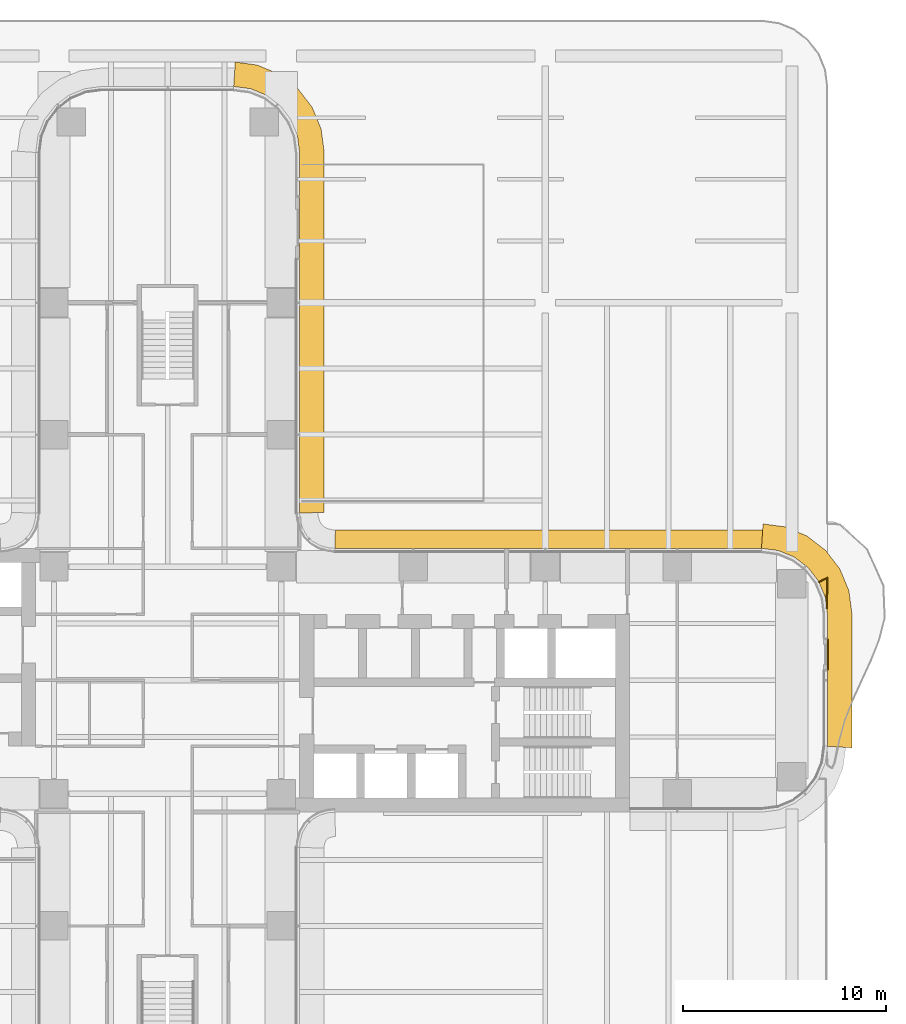
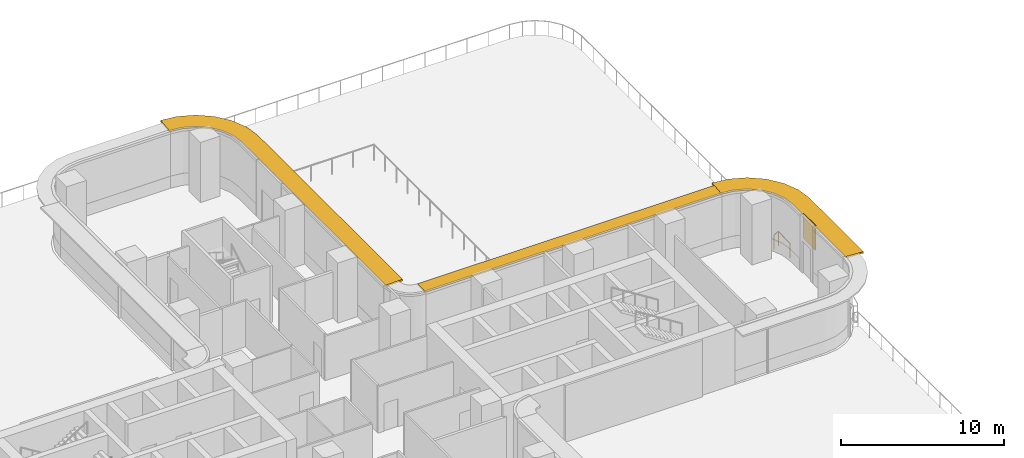
# One storey, part 29 of 29: 3 shading devices, 1 covering, 1 railing.
"""IFC4 building model written with IfcOpenShell, lengths in metres."""

from ifc_helpers import new_model, si_unit, direction, frame, origin, origin_2d, place, context, subcontext, project, spatial, polyline, rectangle, outline, extrude, source, transform, mapped, material, layer, layer_set, type_object, element, save


model = new_model("IFC4")

# Units and contexts
model_context = context("Model", 3, precision=1e-05, world=origin(), true_north=direction((0.0, 1.0)))
body_context = subcontext(model_context, "Body", "Model", "MODEL_VIEW")
ifc_project = project(units=[si_unit("LENGTHUNIT", "METRE"), si_unit("AREAUNIT", "SQUARE_METRE"), si_unit("VOLUMEUNIT", "CUBIC_METRE"), si_unit("PLANEANGLEUNIT", "RADIAN"), si_unit("MASSUNIT", "GRAM", prefix="KILO")], contexts=[model_context])

# Site, building, storey
site_placement = place(None, origin())
site = spatial("IfcSite", under=ifc_project, at=site_placement, CompositionType="ELEMENT")
building_placement = place(site_placement, origin())
building = spatial("IfcBuilding", under=site, at=building_placement, Name="Trellis Farm Tower", CompositionType="ELEMENT")
storey_placement = place(building_placement, frame((0.0, 0.0, 34.0)))
storey = spatial("IfcBuildingStorey", under=building, at=storey_placement, Name="L06", CompositionType="ELEMENT", Elevation=34.0)

# Covering
ifc_material_1 = material(Name="Sandstone", Category="masonry")
ifc_layer_1 = layer(ifc_material_1, 0.050048828125)
ifc_layer_set_1 = layer_set([ifc_layer_1], Name="STONE CLADDING PANEL")
covering_type = type_object("IfcCoveringType", Name="STONE CLADDING PANEL", PredefinedType="CLADDING", material=ifc_layer_set_1)
covering_placement = place(storey_placement, frame((0.0, 0.0, 2.39990234375)))
element("IfcCovering", 1, at=covering_placement, inside=storey, type_object=covering_type, Name="CD1 02", PredefinedType="CLADDING", context=body_context, shape_type="SweptSolid", body=[
    extrude(outline(polyline([(32.550048828125, 0.52001953125), (32.550048828125, 2.02001953125), (32.5, 2.02001953125), (32.5, 0.52001953125), (32.550048828125, 0.52001953125)])), origin(), (0.0, 0.0, 1.0), 1.85009765625),
])

# Shading devices
ifc_material_2 = material(Name="Aluminium extrusion 6063-T6", Category="aluminium")
ifc_layer_2 = layer(ifc_material_2, 0.1201171875)
ifc_layer_set_2 = layer_set([ifc_layer_2], Name="SUNSHADE BLADE 1200")
shading_device_type_1 = type_object("IfcShadingDeviceType", Name="SUNSHADE BLADE 1200", PredefinedType="USERDEFINED", material=ifc_layer_set_2)
shared_shape_1 = source(origin(), body_context, "Body", "SweptSolid", [
    extrude(outline(polyline([(33.699951171875, -3.32861328125), (33.699951171875, 3.32861328125), (33.558349609375, 4.404541015625), (33.11279296875, 5.480224609375), (32.404052734375, 6.404052734375), (31.480224609375, 7.11279296875), (30.404541015625, 7.558349609375), (29.32861328125, 7.699951171875), (29.25, 6.5), (30.091064453125, 6.38916015625), (30.875, 6.064697265625), (31.548095703125, 5.548095703125), (32.064697265625, 4.875), (32.38916015625, 4.091064453125), (32.5, 3.25), (32.5, -3.25), (33.699951171875, -3.32861328125)])), origin(), (0.0, 0.0, 1.0), 0.119873046875),
])
placement = place(storey_placement, frame((0.0, 0.0, 4.090087890625)))
element("IfcShadingDevice", 2, at=placement, inside=storey, type_object=shading_device_type_1, Name="SD2 008", ObjectType="SUNSHADE", PredefinedType="USERDEFINED", context=body_context, shape_type="MappedRepresentation", body=[
    mapped(shared_shape_1, transform((0.0, 0.0, 0.0))),
])
ifc_layer_3 = layer(ifc_material_2, 0.1201171875)
ifc_layer_set_3 = layer_set([ifc_layer_3], Name="SUNSHADE BLADE 900")
shading_device_type_2 = type_object("IfcShadingDeviceType", Name="SUNSHADE BLADE 900", PredefinedType="USERDEFINED", material=ifc_layer_set_3)
shared_shape_2 = source(origin(), body_context, "Body", "SweptSolid", [
    extrude(outline(polyline([(29.30908203125, 7.39990234375), (8.2607421875, 7.39990234375), (8.2314453125, 6.5), (29.25, 6.5), (29.30908203125, 7.39990234375)])), origin(), (0.0, 0.0, 1.0), 0.119873046875),
])
element("IfcShadingDevice", 3, at=placement, inside=storey, type_object=shading_device_type_2, Name="SD1 009", ObjectType="SUNSHADE", PredefinedType="USERDEFINED", context=body_context, shape_type="MappedRepresentation", body=[
    mapped(shared_shape_2, transform((0.0, 0.0, 0.0))),
])
shared_shape_3 = source(origin(), body_context, "Body", "SweptSolid", [
    extrude(outline(polyline([(7.699951171875, 8.270751953125), (7.699951171875, 26.07861328125), (7.558349609375, 27.154541015625), (7.11279296875, 28.230224609375), (6.404052734375, 29.154052734375), (5.480224609375, 29.86279296875), (4.404541015625, 30.308349609375), (3.32861328125, 30.449951171875), (3.25, 29.25), (4.091064453125, 29.13916015625), (4.875, 28.814697265625), (5.548095703125, 28.298095703125), (6.064697265625, 27.625), (6.38916015625, 26.841064453125), (6.5, 26.0), (6.5, 8.2314453125), (7.699951171875, 8.270751953125)])), origin(), (0.0, 0.0, 1.0), 0.119873046875),
])
element("IfcShadingDevice", 4, at=placement, inside=storey, type_object=shading_device_type_1, Name="SD2 011", ObjectType="SUNSHADE", PredefinedType="USERDEFINED", context=body_context, shape_type="MappedRepresentation", body=[
    mapped(shared_shape_3, transform((0.0, 0.0, 0.0))),
])

# Railing
ifc_material_3 = material(Name="Stainless steel 316", Category="steel")
railing_type = type_object("IfcRailingType", Name="BALUSTRADE GUARD 1100", PredefinedType="GUARDRAIL", material=ifc_material_3)
shared_shape_4 = source(origin(), body_context, "Body", "SweptSolid", [
    extrude(rectangle(XDim=0.050048828125, YDim=0.050048828125, at=origin_2d()), frame((0.0, 0.0, 1.0751953125), z_axis=(0.026650654848, 0.999644808217, 0.0), x_axis=(-0.999644808217, 0.026650654848, 0.0)), (0.0, 0.0, 1.0), 1.4931640625),
    extrude(rectangle(XDim=0.050048828125, YDim=0.050048828125, at=origin_2d()), frame((0.039794921875, 1.49267578125, 1.0751953125), z_axis=(-0.901514911476, -0.432748037993, 0.0), x_axis=(0.432748037993, -0.901514911476, 0.0)), (0.0, 0.0, 1.0), 0.4677734375),
    extrude(rectangle(XDim=0.0400390625, YDim=0.0400390625, at=origin_2d()), origin(), (0.0, 0.0, 1.0), 1.050048828125),
    extrude(rectangle(XDim=0.0400390625, YDim=0.0400390625, at=origin_2d()), frame((0.039794921875, 1.49267578125, 0.0)), (0.0, 0.0, 1.0), 1.050048828125),
    extrude(rectangle(XDim=0.0400390625, YDim=0.0400390625, at=origin_2d()), frame((-0.3818359375, 1.290283203125, 0.0)), (0.0, 0.0, 1.0), 1.050048828125),
])
railing_placement = place(storey_placement, frame((32.460205078125, 3.55126953125, 0.0)))
element("IfcRailing", 5, at=railing_placement, inside=storey, type_object=railing_type, Name="GD1 BAL-4", PredefinedType="GUARDRAIL", context=body_context, shape_type="MappedRepresentation", body=[
    mapped(shared_shape_4, transform((0.0, 0.0, 0.0))),
])

save(model, "model.ifc")
